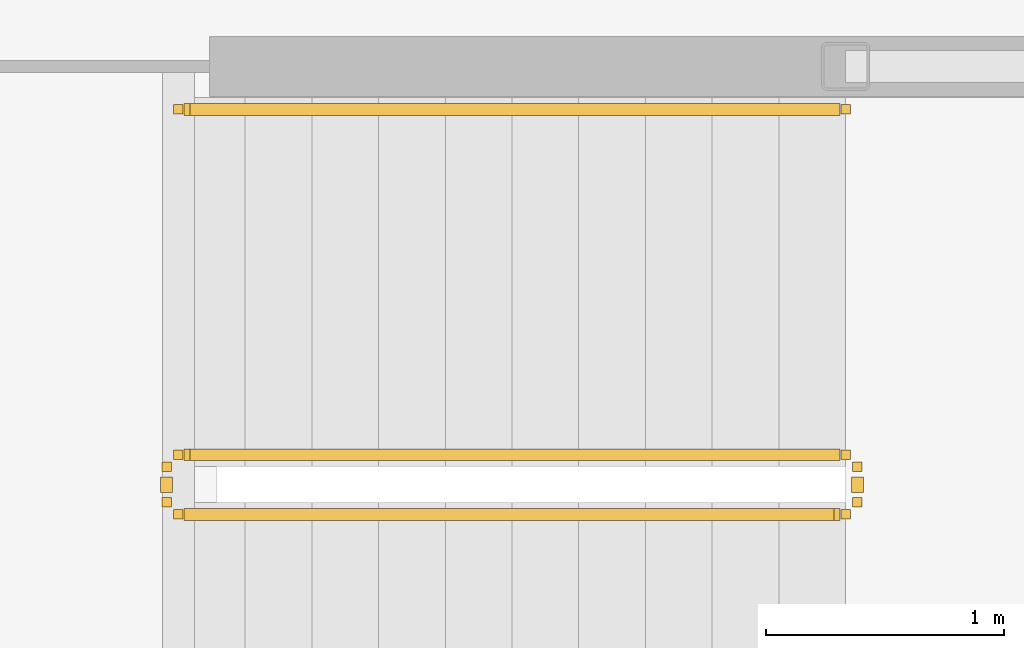
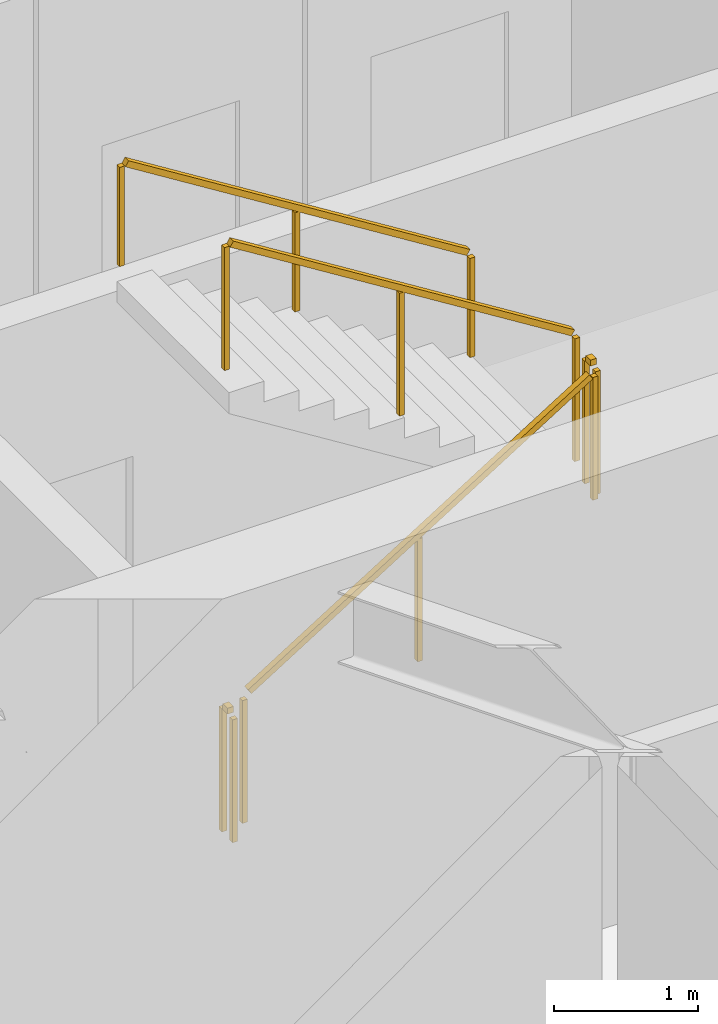
# One storey, part 27 of 30: 5 railings.
"""IFC4 building model written with IfcOpenShell, lengths in metres."""

import ifcopenshell
import ifcopenshell.guid

model = None  # the IFC model being written
_history = None  # IfcOwnerHistory: only IFC2X3 demands one
_inside = {}  # id of a spatial element -> (the spatial element, [elements in it])
_under = {}  # id of a project, library or spatial element -> (it, [spatial elements below it])
_declared = {}  # id of a project -> (the project, [libraries it declares])
_typed = {}  # id of a type object -> (the type object, [elements of that type])
_made_of = {}  # id of a material, layer set ... -> (it, [elements and type objects made of it])


def new_model(schema):
    """Start an empty IFC model of exactly this schema.

    Asked for "IFC4X3", IfcOpenShell would pick the latest addendum, in which some entities
    have other attributes; the version numbers below select the first issue.
    IFC2X3 requires an IfcOwnerHistory on every rooted entity: one is made here for all.
    """
    global model, _history
    if schema == "IFC4X3":
        model = ifcopenshell.file(schema_version=(4, 3, 0, 0))
    else:
        model = ifcopenshell.file(schema=schema)
    _inside.clear()
    _under.clear()
    _declared.clear()
    _typed.clear()
    _made_of.clear()
    _history = None
    if model.schema == "IFC2X3":
        org = make("IfcOrganization", Name="unknown")
        user = make(
            "IfcPersonAndOrganization",
            ThePerson=make("IfcPerson", FamilyName="unknown"),
            TheOrganization=org,
        )
        app = make(
            "IfcApplication",
            ApplicationDeveloper=org,
            Version="unknown",
            ApplicationFullName="unknown",
            ApplicationIdentifier="unknown",
        )
        _history = make(
            "IfcOwnerHistory",
            OwningUser=user,
            OwningApplication=app,
            ChangeAction="ADDED",
            CreationDate=0,
        )
    return model


def make(cls, **values):
    """One entity of the class cls with the attributes given. An attribute that is None is left unset."""
    return model.create_entity(
        cls, **{name: value for name, value in values.items() if value is not None}
    )


def rooted(cls, **values):
    """An entity with a GlobalId (a new one), such as an element, a storey or a relation."""
    return make(cls, GlobalId=ifcopenshell.guid.new(), OwnerHistory=_history, **values)


def si_unit(unit_type, name, prefix=None):
    """IfcSIUnit, for example si_unit("LENGTHUNIT", "METRE", prefix="MILLI")."""
    return make("IfcSIUnit", UnitType=unit_type, Prefix=prefix, Name=name)


def assignment(units):
    """IfcUnitAssignment: the units of a project."""
    return None if units is None else make("IfcUnitAssignment", Units=units)


def point(xyz):
    """IfcCartesianPoint."""
    return None if xyz is None else make("IfcCartesianPoint", Coordinates=xyz)


def direction(xyz):
    """IfcDirection."""
    return None if xyz is None else make("IfcDirection", DirectionRatios=xyz)


def frame(location, z_axis=None, x_axis=None):
    """IfcAxis2Placement3D, a coordinate frame: its origin and axes. An axis left out is left unset."""
    return make(
        "IfcAxis2Placement3D",
        Location=point(location),
        Axis=direction(z_axis),
        RefDirection=direction(x_axis),
    )


def frame_2d(location, x_axis=None):
    """IfcAxis2Placement2D, a coordinate frame in the plane: its origin and x axis."""
    return make(
        "IfcAxis2Placement2D", Location=point(location), RefDirection=direction(x_axis)
    )


def origin():
    """The frame at (0, 0, 0) with its axes left unset."""
    return frame((0.0, 0.0, 0.0))


def origin_2d():
    """The frame at (0, 0) in the plane with its x axis left unset."""
    return frame_2d((0.0, 0.0))


def place(relative_to, where):
    """IfcLocalPlacement: puts the frame where relative to a parent placement (None: the world)."""
    return make(
        "IfcLocalPlacement", PlacementRelTo=relative_to, RelativePlacement=where
    )


def context(
    kind, dimensions, precision=None, world=None, true_north=None, identifier=None
):
    """IfcGeometricRepresentationContext, for example the 3D "Model" context."""
    return make(
        "IfcGeometricRepresentationContext",
        ContextIdentifier=identifier,
        ContextType=kind,
        CoordinateSpaceDimension=dimensions,
        Precision=precision,
        WorldCoordinateSystem=world,
        TrueNorth=true_north,
    )


def subcontext(parent, identifier, kind, view, scale=None):
    """IfcGeometricRepresentationSubContext, for example "Body" below "Model"."""
    return make(
        "IfcGeometricRepresentationSubContext",
        ContextIdentifier=identifier,
        ContextType=kind,
        ParentContext=parent,
        TargetScale=scale,
        TargetView=view,
    )


def project(units=None, contexts=None):
    """IfcProject with its units and contexts."""
    return rooted(
        "IfcProject",
        Name="project",
        RepresentationContexts=contexts,
        UnitsInContext=assignment(units),
    )


def spatial(cls, under=None, at=None, **own):
    """A site, building, storey or space (cls), placed at a placement, below another one or the project."""
    s = rooted(cls, ObjectPlacement=at, **own)
    if under is not None:
        _under.setdefault(under.id(), (under, []))[1].append(s)
    return s


def profile(cls, at=None, kind="AREA", **sizes):
    """A parametric profile (cls). Its sizes go by their IFC names, for example OverallWidth=200.0."""
    return make(cls, ProfileType=kind, Position=at, **sizes)


def rectangle(**sizes):
    """IfcRectangleProfileDef."""
    return profile("IfcRectangleProfileDef", **sizes)


def extrude(swept, where, along, depth):
    """IfcExtrudedAreaSolid: the profile swept, set in the frame where, extruded along a direction by depth."""
    return make(
        "IfcExtrudedAreaSolid",
        SweptArea=swept,
        Position=where,
        ExtrudedDirection=direction(along),
        Depth=depth,
    )


def shape(context_of_items, identifier, shape_type, items):
    """IfcShapeRepresentation: the items that make up one representation, for example the "Body"."""
    return make(
        "IfcShapeRepresentation",
        ContextOfItems=context_of_items,
        RepresentationIdentifier=identifier,
        RepresentationType=shape_type,
        Items=items,
    )


def material(Name=None, Category=None):
    """IfcMaterial."""
    return make("IfcMaterial", Name=Name, Category=Category)


def made_of(thing, what):
    """Note that an element or type object is made of a material, layer set ...; save() writes the relation."""
    if what is not None:
        _made_of.setdefault(what.id(), (what, []))[1].append(thing)
    return thing


def type_object(cls, material=None, **own):
    """A type object (cls), such as IfcWallType, which elements share."""
    return made_of(rooted(cls, **own), material)


def element(
    cls,
    number,
    at=None,
    inside=None,
    cuts=None,
    type_object=None,
    material=None,
    context=None,
    identifier="Body",
    shape_type=None,
    held_by="IfcProductDefinitionShape",
    body=None,
    shapes=None,
    **own,
):
    """One element of the class cls, such as IfcWall. Its Tag is "e" and its number.

    at: its placement. inside: the storey or other place that contains it. cuts: it is an
    opening in that element (IfcRelVoidsElement). A single representation is given by context,
    identifier, shape_type and body (its items); several are given by shapes. held_by: the class
    of the entity that holds the representations. save() writes the other relations.
    """
    e = rooted(cls, Tag="e%d" % number, ObjectPlacement=at, **own)
    if body is not None:
        shapes = [shape(context, identifier, shape_type, body)]
    if shapes is not None:
        e.Representation = make(held_by, Representations=shapes)
    if inside is not None:
        _inside.setdefault(inside.id(), (inside, []))[1].append(e)
    if cuts is not None:
        rooted(
            "IfcRelVoidsElement", RelatingBuildingElement=cuts, RelatedOpeningElement=e
        )
    if type_object is not None:
        _typed.setdefault(type_object.id(), (type_object, []))[1].append(e)
    return made_of(e, material)


def aggregate(whole, parts):
    """IfcRelAggregates: a whole, such as a stair, and the parts it consists of."""
    return rooted("IfcRelAggregates", RelatingObject=whole, RelatedObjects=parts)


def save(model, path):
    """Write the relations noted so far, then the file.

    IfcRelAggregates (storeys below a building ...), IfcRelContainedInSpatialStructure (elements
    in a storey), IfcRelDefinesByType, IfcRelAssociatesMaterial and IfcRelDeclares: one each for
    every whole, place, type object, material and project.
    """
    for whole, parts in _under.values():
        aggregate(whole, parts)
    for where, things in _inside.values():
        rooted(
            "IfcRelContainedInSpatialStructure",
            RelatedElements=things,
            RelatingStructure=where,
        )
    for kind, things in _typed.values():
        rooted("IfcRelDefinesByType", RelatedObjects=things, RelatingType=kind)
    for what, things in _made_of.values():
        rooted("IfcRelAssociatesMaterial", RelatedObjects=things, RelatingMaterial=what)
    for by, libraries in _declared.values():
        rooted("IfcRelDeclares", RelatingContext=by, RelatedDefinitions=libraries)
    model.write(path)


model = new_model("IFC4")

# Units and contexts
model_context = context("Model", 3, precision=1e-05, world=origin(), true_north=direction((0.0, 1.0)))
body_context = subcontext(model_context, "Body", "Model", "MODEL_VIEW")
ifc_project = project(units=[si_unit("LENGTHUNIT", "METRE"), si_unit("AREAUNIT", "SQUARE_METRE"), si_unit("VOLUMEUNIT", "CUBIC_METRE"), si_unit("PLANEANGLEUNIT", "RADIAN"), si_unit("MASSUNIT", "GRAM", prefix="KILO")], contexts=[model_context])

# Site, building, storey
site_placement = place(None, origin())
site = spatial("IfcSite", under=ifc_project, at=site_placement, CompositionType="ELEMENT")
building_placement = place(site_placement, origin())
building = spatial("IfcBuilding", under=site, at=building_placement, Name="Kazma Halo Residences", CompositionType="ELEMENT")
storey_placement = place(building_placement, frame((0.0, 0.0, 255.949951171875)))
storey = spatial("IfcBuildingStorey", under=building, at=storey_placement, Name="L64", CompositionType="ELEMENT", Elevation=255.949951171875)

# Railings
ifc_material_1 = material(Name="Painted Steel S355", Category="steel")
railing_type_1 = type_object("IfcRailingType", Name="RLG-STAIR-GRD-1100", PredefinedType="GUARDRAIL", material=ifc_material_1)
railing_1_placement = place(storey_placement, frame((53.199951171875, 35.5, 0.175048828125)))
element("IfcRailing", 1, at=railing_1_placement, inside=storey, type_object=railing_type_1, Name="L64 ST-03 stair guard 1", PredefinedType="GUARDRAIL", context=body_context, shape_type="SweptSolid", body=[
    extrude(rectangle(XDim=0.050048828125, YDim=0.050048828125, at=origin_2d()), frame((0.0361328125, 0.0, 1.09765625), z_axis=(0.848002457836, 0.0, 0.529992293815), x_axis=(0.0, 1.0, 0.0)), (0.0, 0.0, 1.0), 3.216796875),
    extrude(rectangle(XDim=0.0400390625, YDim=0.0400390625, at=origin_2d()), origin(), (0.0, 0.0, 1.0), 1.0380859375),
    extrude(rectangle(XDim=0.0400390625, YDim=0.0400390625, at=origin_2d()), frame((1.39990234375, 0.0, 0.875)), (0.0, 0.0, 1.0), 1.0380859375),
    extrude(rectangle(XDim=0.0400390625, YDim=0.0400390625, at=origin_2d()), frame((2.800048828125, 0.0, 1.75)), (0.0, 0.0, 1.0), 1.0380859375),
])
railing_2_placement = place(storey_placement, frame((56.050048828125, 35.550048828125, 1.925048828125)))
element("IfcRailing", 2, at=railing_2_placement, inside=storey, type_object=railing_type_1, Name="L64 ST-03 stair guard 2", PredefinedType="GUARDRAIL", context=body_context, shape_type="SweptSolid", body=[
    extrude(rectangle(XDim=0.050048828125, YDim=0.050048828125, at=origin_2d()), frame((0.0, 0.04248046875, 1.0751953125), z_axis=(0.0, 1.0, 0.0), x_axis=(-1.0, 0.0, 0.0)), (0.0, 0.0, 1.0), 0.06494140625),
    extrude(rectangle(XDim=0.0400390625, YDim=0.0400390625, at=origin_2d()), origin(), (0.0, 0.0, 1.0), 1.0380859375),
    extrude(rectangle(XDim=0.0400390625, YDim=0.0400390625, at=origin_2d()), frame((0.0, 0.14990234375, 0.0)), (0.0, 0.0, 1.0), 1.0380859375),
])
railing_3_placement = place(storey_placement, frame((56.0, 35.75, 2.10009765625)))
element("IfcRailing", 3, at=railing_3_placement, inside=storey, type_object=railing_type_1, Name="L64 ST-03 stair guard 3", PredefinedType="GUARDRAIL", context=body_context, shape_type="SweptSolid", body=[
    extrude(rectangle(XDim=0.050048828125, YDim=0.050048828125, at=origin_2d()), frame((-0.0361328125, 0.0, 1.09765625), z_axis=(-0.848002457836, 0.0, 0.529992293815), x_axis=(0.0, -1.0, 0.0)), (0.0, 0.0, 1.0), 3.216796875),
    extrude(rectangle(XDim=0.0400390625, YDim=0.0400390625, at=origin_2d()), origin(), (0.0, 0.0, 1.0), 1.0380859375),
    extrude(rectangle(XDim=0.0400390625, YDim=0.0400390625, at=origin_2d()), frame((-1.39990234375, 0.0, 0.875)), (0.0, 0.0, 1.0), 1.0380859375),
    extrude(rectangle(XDim=0.0400390625, YDim=0.0400390625, at=origin_2d()), frame((-2.800048828125, 0.0, 1.75)), (0.0, 0.0, 1.0), 1.0380859375),
])
railing_4_placement = place(storey_placement, frame((53.14990234375, 35.550048828125, 0.0)))
element("IfcRailing", 4, at=railing_4_placement, inside=storey, type_object=railing_type_1, Name="L64 ST-03 stair guard 4", PredefinedType="GUARDRAIL", context=body_context, shape_type="SweptSolid", body=[
    extrude(rectangle(XDim=0.050048828125, YDim=0.050048828125, at=origin_2d()), frame((0.0, 0.04248046875, 1.0751953125), z_axis=(0.0, 1.0, 0.0), x_axis=(-1.0, 0.0, 0.0)), (0.0, 0.0, 1.0), 0.06494140625),
    extrude(rectangle(XDim=0.0400390625, YDim=0.0400390625, at=origin_2d()), origin(), (0.0, 0.0, 1.0), 1.0380859375),
    extrude(rectangle(XDim=0.0400390625, YDim=0.0400390625, at=origin_2d()), frame((0.0, 0.14990234375, 0.0)), (0.0, 0.0, 1.0), 1.0380859375),
])
ifc_material_2 = material(Name="Brushed Stainless Steel", Category="steel")
railing_type_2 = type_object("IfcRailingType", Name="RLG-STAIR-HND-900", PredefinedType="HANDRAIL", material=ifc_material_2)
railing_5_placement = place(storey_placement, frame((56.0, 37.199951171875, 2.10009765625)))
element("IfcRailing", 5, at=railing_5_placement, inside=storey, type_object=railing_type_2, Name="L64 ST-03 stair handrail 2", PredefinedType="HANDRAIL", context=body_context, shape_type="SweptSolid", body=[
    extrude(rectangle(XDim=0.050048828125, YDim=0.050048828125, at=origin_2d()), frame((-0.0361328125, 0.0, 0.8974609375), z_axis=(-0.848002457836, 0.0, 0.529992293815), x_axis=(0.0, -1.0, 0.0)), (0.0, 0.0, 1.0), 3.216796875),
    extrude(rectangle(XDim=0.0400390625, YDim=0.0400390625, at=origin_2d()), origin(), (0.0, 0.0, 1.0), 0.837890625),
    extrude(rectangle(XDim=0.0400390625, YDim=0.0400390625, at=origin_2d()), frame((-1.39990234375, 0.0, 0.875)), (0.0, 0.0, 1.0), 0.837890625),
    extrude(rectangle(XDim=0.0400390625, YDim=0.0400390625, at=origin_2d()), frame((-2.800048828125, 0.0, 1.75)), (0.0, 0.0, 1.0), 0.837890625),
])

save(model, "model.ifc")
